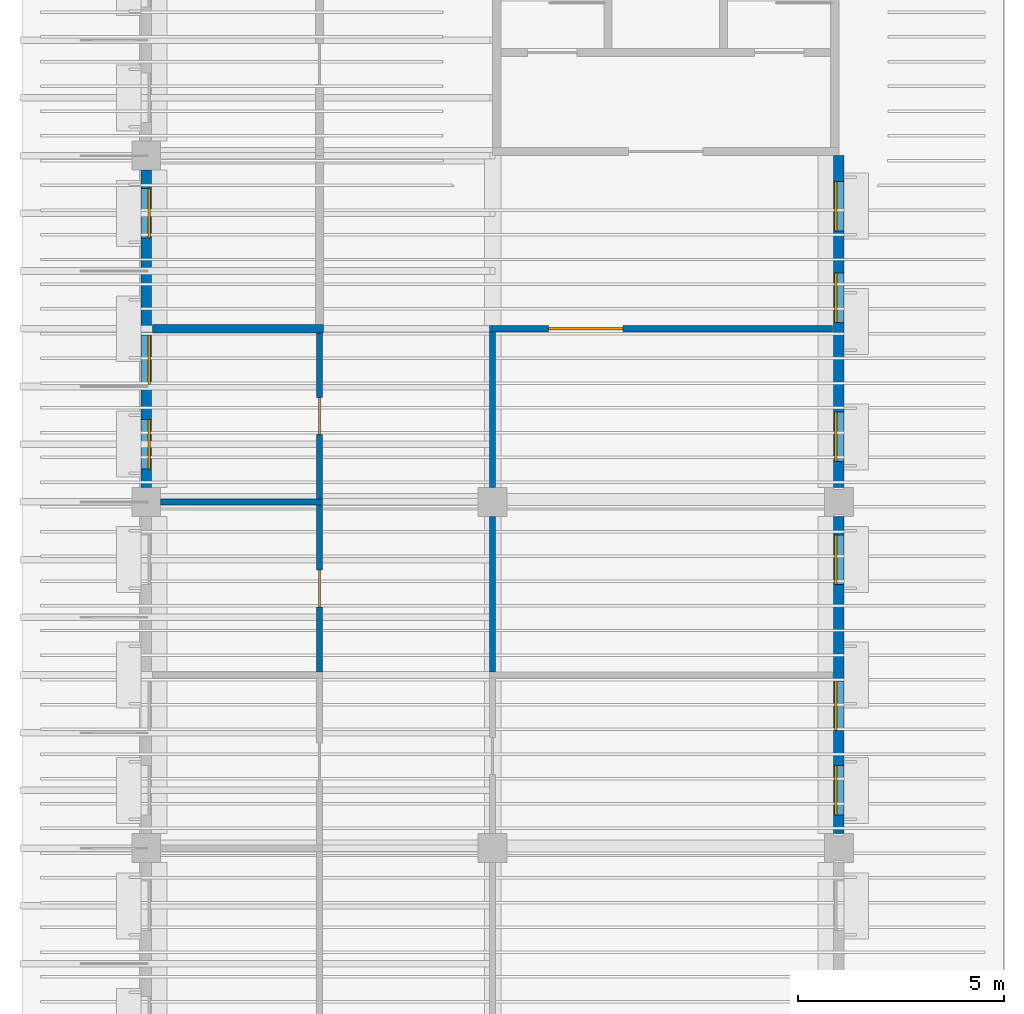
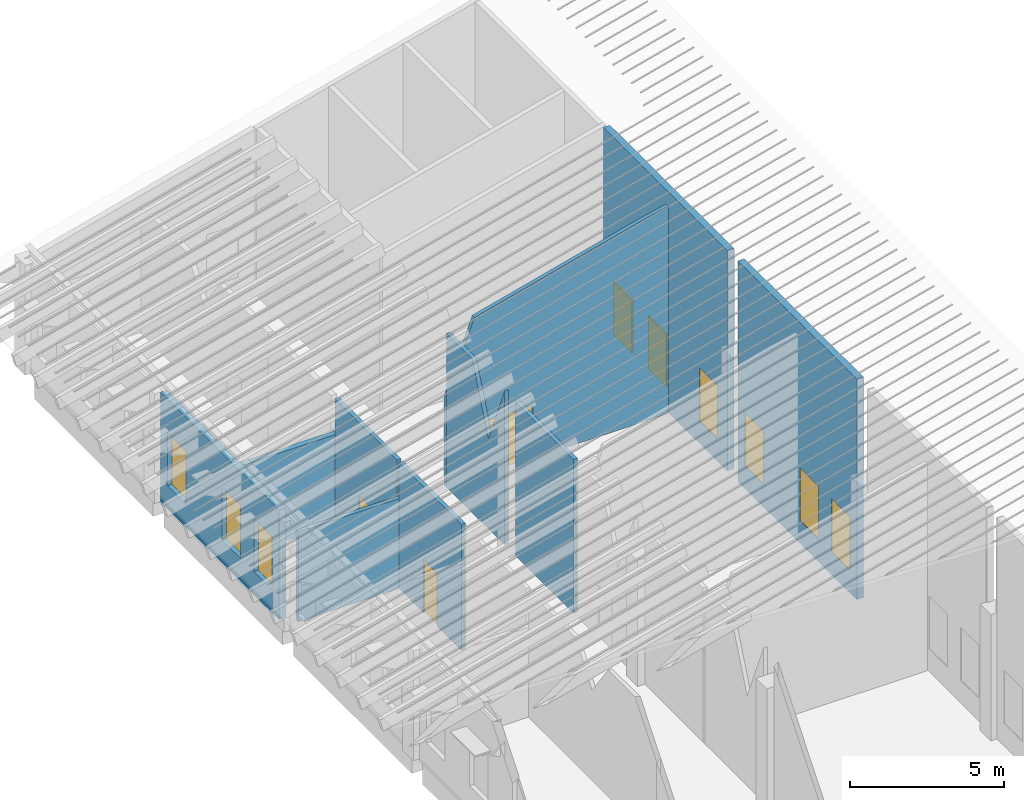
# One storey, part 20 of 82: 10 walls, 9 windows, 3 doors, 12 openings.
"""IFC4 building model written with IfcOpenShell, lengths in metres."""

from ifc_helpers import new_model, si_unit, direction, frame, frame_2d, origin, place, context, subcontext, project, spatial, polyline, rectangle, outline, extrude, material, layer, layer_set, type_object, element, fill, save


model = new_model("IFC4")

# Units and contexts
model_context = context("Model", 3, precision=1e-05, world=origin(), true_north=direction((0.0, 1.0)))
body_context = subcontext(model_context, "Body", "Model", "MODEL_VIEW")
ifc_project = project(units=[si_unit("LENGTHUNIT", "METRE"), si_unit("AREAUNIT", "SQUARE_METRE"), si_unit("VOLUMEUNIT", "CUBIC_METRE"), si_unit("PLANEANGLEUNIT", "RADIAN"), si_unit("MASSUNIT", "GRAM", prefix="KILO")], contexts=[model_context])

# Site, building, storey
site_placement = place(None, origin())
site = spatial("IfcSite", under=ifc_project, at=site_placement, CompositionType="ELEMENT")
building_placement = place(site_placement, origin())
building = spatial("IfcBuilding", under=site, at=building_placement, Name="Almond Square Museum", CompositionType="ELEMENT")
storey_placement = place(building_placement, frame((0.0, 0.0, 20.0)))
storey = spatial("IfcBuildingStorey", under=building, at=storey_placement, Name="L03", CompositionType="ELEMENT", Elevation=20.0)

# Walls
ifc_material_1 = material(Name="Concrete blockwork 200", Category="masonry")
ifc_layer_1 = layer(ifc_material_1, 0.199951171875)
ifc_layer_set_1 = layer_set([ifc_layer_1], Name="Concrete blockwork 200")
wall_type_1 = type_object("IfcWallType", Name="Fire partition 200 blockwork", PredefinedType="PARTITIONING", material=ifc_layer_set_1)
wall_1_placement = place(storey_placement, frame((6.14990234375, 63.0, 0.0), z_axis=(0.0, 0.0, 1.0), x_axis=(1.0, 0.0, 0.0)))
element("IfcWall", 1, at=wall_1_placement, inside=storey, type_object=wall_type_1, Name="L03 partition 19", PredefinedType="PARTITIONING", context=body_context, shape_type="SweptSolid", body=[
    extrude(rectangle(XDim=4.150146484375, YDim=0.199951171875, at=frame_2d((2.0751953125, 0.0))), origin(), (0.0, 0.0, 1.0), 3.56201171875),
])
ifc_material_2 = material(Name="Plasterboard on steel stud", Category="steel")
ifc_layer_2 = layer(ifc_material_2, 0.14990234375)
ifc_layer_set_2 = layer_set([ifc_layer_2], Name="Plasterboard on steel stud")
wall_type_2 = type_object("IfcWallType", Name="Partition 150 plasterboard on steel stud", PredefinedType="PARTITIONING", material=ifc_layer_set_2)
wall_2_placement = place(storey_placement, frame((6.35009765625, 58.800048828125, 0.0), z_axis=(0.0, 0.0, 1.0), x_axis=(1.0, 0.0, 0.0)))
element("IfcWall", 2, at=wall_2_placement, inside=storey, type_object=wall_type_2, Name="L03 partition 22", PredefinedType="PARTITIONING", context=body_context, shape_type="SweptSolid", body=[
    extrude(rectangle(XDim=3.9248046875, YDim=0.14990234375, at=frame_2d((1.96240234375, 0.0))), origin(), (0.0, 0.0, 1.0), 3.56201171875),
])

# Wall, opening, door
wall_3_placement = place(storey_placement, frame((10.199951171875, 58.875, 0.0), z_axis=(0.0, 0.0, 1.0), x_axis=(0.0, 1.0, 0.0)))
wall_3 = element("IfcWall", 3, at=wall_3_placement, inside=storey, type_object=wall_type_2, Name="L03 partition 23", PredefinedType="PARTITIONING", context=body_context, shape_type="SweptSolid", body=[
    extrude(rectangle(XDim=4.02490234375, YDim=0.14990234375, at=frame_2d((2.012451171875, 0.0))), origin(), (0.0, 0.0, 1.0), 5.0),
])
opening_1_placement = place(wall_3_placement, frame((1.5625, 0.0, 0.0)))
opening_1 = element("IfcOpeningElement", 4, at=opening_1_placement, cuts=wall_3, Name="Opening D3106", PredefinedType="OPENING", context=body_context, shape_type="SweptSolid", body=[
    extrude(rectangle(XDim=0.89990234375, YDim=2.10009765625, at=frame_2d((0.449951171875, 1.050048828125))), frame((0.0, 0.0849609375, 0.0), z_axis=(0.0, -1.0, 0.0), x_axis=(1.0, 0.0, 0.0)), (0.0, 0.0, 1.0), 0.169921875),
])
ifc_material_3 = material(Name="Timber", Category="wood")
door_type_1 = type_object("IfcDoorType", Name="Door 900 x 2100 timber single", OperationType="NOTDEFINED", PredefinedType="DOOR", material=ifc_material_3)
door_1_placement = place(opening_1_placement, origin())
door_1 = element("IfcDoor", 5, at=door_1_placement, inside=storey, type_object=door_type_1, Name="L03 door Accessible WC 2 to Wing Corridor", OperationType="SINGLE_SWING_LEFT", OverallHeight=2.10009765625, OverallWidth=0.89990234375, PredefinedType="DOOR", context=body_context, shape_type="SweptSolid", body=[
    extrude(rectangle(XDim=0.89990234375, YDim=2.10009765625, at=frame_2d((0.449951171875, 1.050048828125))), frame((0.0, 0.02490234375, 0.0), z_axis=(0.0, -1.0, 0.0), x_axis=(1.0, 0.0, 0.0)), (0.0, 0.0, 1.0), 0.050048828125),
])
fill(opening_1, door_1)

wall_4_placement = place(storey_placement, frame((10.199951171875, 54.675048828125, 0.0), z_axis=(0.0, 0.0, 1.0), x_axis=(0.0, 1.0, 0.0)))
wall_4 = element("IfcWall", 6, at=wall_4_placement, inside=storey, type_object=wall_type_2, Name="L03 partition 25", PredefinedType="PARTITIONING", context=body_context, shape_type="SweptSolid", body=[
    extrude(rectangle(XDim=4.050048828125, YDim=0.14990234375, at=frame_2d((2.02490234375, 0.0))), origin(), (0.0, 0.0, 1.0), 5.0),
])
opening_2_placement = place(wall_4_placement, frame((1.574951171875, 0.0, 0.0)))
opening_2 = element("IfcOpeningElement", 7, at=opening_2_placement, cuts=wall_4, Name="Opening D3107", PredefinedType="OPENING", context=body_context, shape_type="SweptSolid", body=[
    extrude(rectangle(XDim=0.89990234375, YDim=2.10009765625, at=frame_2d((0.449951171875, 1.050048828125))), frame((0.0, 0.0849609375, 0.0), z_axis=(0.0, -1.0, 0.0), x_axis=(1.0, 0.0, 0.0)), (0.0, 0.0, 1.0), 0.169921875),
])
door_2_placement = place(opening_2_placement, origin())
door_2 = element("IfcDoor", 8, at=door_2_placement, inside=storey, type_object=door_type_1, Name="L03 door Men's WC 2 to Wing Corridor", OperationType="SINGLE_SWING_LEFT", OverallHeight=2.10009765625, OverallWidth=0.89990234375, PredefinedType="DOOR", context=body_context, shape_type="SweptSolid", body=[
    extrude(rectangle(XDim=0.89990234375, YDim=2.10009765625, at=frame_2d((0.449951171875, 1.050048828125))), frame((0.0, 0.02490234375, 0.0), z_axis=(0.0, -1.0, 0.0), x_axis=(1.0, 0.0, 0.0)), (0.0, 0.0, 1.0), 0.050048828125),
])
fill(opening_2, door_2)

wall_5_placement = place(storey_placement, frame((14.324951171875, 63.0, 0.0), z_axis=(0.0, 0.0, 1.0), x_axis=(1.0, 0.0, 0.0)))
wall_5 = element("IfcWall", 9, at=wall_5_placement, inside=storey, type_object=wall_type_2, Name="L03 partition 27", PredefinedType="PARTITIONING", context=body_context, shape_type="SweptSolid", body=[
    extrude(outline(polyline([(0.0, 0.0), (8.324951171875, 0.0), (8.324951171875, 8.220947265625), (7.35009765625, 8.0048828125), (1.050048828125, 6.35498046875), (0.0, 3.56201171875), (0.0, 0.0)])), frame((0.0, 0.074951171875, 0.0), z_axis=(0.0, -1.0, 0.0), x_axis=(1.0, 0.0, 0.0)), (0.0, 0.0, 1.0), 0.14990234375),
])
opening_3_placement = place(wall_5_placement, frame((1.4375, 0.0, 0.0)))
opening_3 = element("IfcOpeningElement", 10, at=opening_3_placement, cuts=wall_5, Name="Opening D3108", PredefinedType="OPENING", context=body_context, shape_type="SweptSolid", body=[
    extrude(rectangle(XDim=1.800048828125, YDim=2.10009765625, at=frame_2d((0.89990234375, 1.050048828125))), frame((0.0, 0.0849609375, 0.0), z_axis=(0.0, -1.0, 0.0), x_axis=(1.0, 0.0, 0.0)), (0.0, 0.0, 1.0), 0.169921875),
])
ifc_material_4 = material(Name="Timber", Category="wood")
door_type_2 = type_object("IfcDoorType", Name="Door 1800 x 2100 timber double", OperationType="NOTDEFINED", PredefinedType="DOOR", material=ifc_material_4)
door_3_placement = place(opening_3_placement, origin())
door_3 = element("IfcDoor", 11, at=door_3_placement, inside=storey, type_object=door_type_2, Name="L03 door Staff Lounge 1 to Wing Corridor", OperationType="DOUBLE_DOOR_SINGLE_SWING", OverallHeight=2.10009765625, OverallWidth=1.800048828125, PredefinedType="DOOR", context=body_context, shape_type="SweptSolid", body=[
    extrude(rectangle(XDim=1.800048828125, YDim=2.10009765625, at=frame_2d((0.89990234375, 1.050048828125))), frame((0.0, 0.02490234375, 0.0), z_axis=(0.0, -1.0, 0.0), x_axis=(1.0, 0.0, 0.0)), (0.0, 0.0, 1.0), 0.050048828125),
])
fill(opening_3, door_3)

# Walls
wall_6_placement = place(storey_placement, frame((14.39990234375, 54.675048828125, 0.0), z_axis=(0.0, 0.0, 1.0), x_axis=(0.0, 1.0, 0.0)))
element("IfcWall", 12, at=wall_6_placement, inside=storey, type_object=wall_type_2, Name="L03 partition 28", PredefinedType="PARTITIONING", context=body_context, shape_type="SweptSolid", body=[
    extrude(rectangle(XDim=3.77490234375, YDim=0.14990234375, at=frame_2d((1.887451171875, 0.0))), origin(), (0.0, 0.0, 1.0), 6.10009765625),
])
wall_7_placement = place(storey_placement, frame((14.39990234375, 59.14990234375, 0.0), z_axis=(0.0, 0.0, 1.0), x_axis=(0.0, 1.0, 0.0)))
element("IfcWall", 13, at=wall_7_placement, inside=storey, type_object=wall_type_2, Name="L03 partition 29", PredefinedType="PARTITIONING", context=body_context, shape_type="SweptSolid", body=[
    extrude(outline(polyline([(0.0, 0.0), (3.775146484375, 0.0), (3.77490234375, 6.10009765625), (2.10009765625, 6.10009765625), (1.050048828125, 3.56201171875), (0.0, 6.10009765625), (0.0, 0.0)])), frame((0.0, 0.074951171875, 0.0), z_axis=(0.0, -1.0, 0.0), x_axis=(1.0, 0.0, 0.0)), (0.0, 0.0, 1.0), 0.14990234375),
])

# Wall, openings, windows
ifc_material_5 = material(Name="Precast concrete C40/50", Category="concrete")
ifc_layer_3 = layer(ifc_material_5, 0.25)
ifc_layer_set_3 = layer_set([ifc_layer_3], Name="Precast concrete C40/50")
wall_type_3 = type_object("IfcWallType", Name="Precast concrete panel wall 250 with coral limestone piers", PredefinedType="SOLIDWALL", material=ifc_layer_set_3)
wall_8_placement = place(storey_placement, frame((22.800048828125, 50.75, 0.0), z_axis=(0.0, 0.0, 1.0), x_axis=(0.0, 1.0, 0.0)))
wall_8 = element("IfcWall", 14, at=wall_8_placement, inside=storey, type_object=wall_type_3, Name="External wall W2 V4W L03 E04", PredefinedType="SOLIDWALL", context=body_context, shape_type="SweptSolid", body=[
    extrude(rectangle(XDim=7.699951171875, YDim=0.25, at=frame_2d((3.85009765625, 0.0))), origin(), (0.0, 0.0, 1.0), 8.74560546875),
])
opening_4_placement = place(wall_8_placement, frame((0.449951171875, 0.0, 0.89990234375)))
opening_4 = element("IfcOpeningElement", 15, at=opening_4_placement, cuts=wall_8, Name="Opening W3026", PredefinedType="OPENING", context=body_context, shape_type="SweptSolid", body=[
    extrude(rectangle(XDim=1.199951171875, YDim=2.10009765625, at=frame_2d((0.60009765625, 1.050048828125))), frame((0.0, 0.135009765625, 0.0), z_axis=(0.0, -1.0, 0.0), x_axis=(1.0, 0.0, 0.0)), (0.0, 0.0, 1.0), 0.27001953125),
])
opening_5_placement = place(wall_8_placement, frame((2.5, 0.0, 0.89990234375)))
opening_5 = element("IfcOpeningElement", 16, at=opening_5_placement, cuts=wall_8, Name="Opening W3027", PredefinedType="OPENING", context=body_context, shape_type="SweptSolid", body=[
    extrude(rectangle(XDim=1.199951171875, YDim=2.10009765625, at=frame_2d((0.60009765625, 1.050048828125))), frame((0.0, 0.135009765625, 0.0), z_axis=(0.0, -1.0, 0.0), x_axis=(1.0, 0.0, 0.0)), (0.0, 0.0, 1.0), 0.27001953125),
])
opening_6_placement = place(wall_8_placement, frame((6.050048828125, 0.0, 0.89990234375)))
opening_6 = element("IfcOpeningElement", 17, at=opening_6_placement, cuts=wall_8, Name="Opening W3028", PredefinedType="OPENING", context=body_context, shape_type="SweptSolid", body=[
    extrude(rectangle(XDim=1.199951171875, YDim=2.10009765625, at=frame_2d((0.60009765625, 1.050048828125))), frame((0.0, 0.135009765625, 0.0), z_axis=(0.0, -1.0, 0.0), x_axis=(1.0, 0.0, 0.0)), (0.0, 0.0, 1.0), 0.27001953125),
])
ifc_material_6 = material(Name="Anodised aluminium louvre and laminated glass", Category="aluminium")
window_type = type_object("IfcWindowType", Name="Louvred pier window", PartitioningType="SINGLE_PANEL", PredefinedType="WINDOW", material=ifc_material_6)
window_1_placement = place(opening_4_placement, origin())
window_1 = element("IfcWindow", 18, at=window_1_placement, inside=storey, type_object=window_type, Name="Louvred pier window W3026", OverallHeight=2.10009765625, OverallWidth=1.199951171875, PartitioningType="SINGLE_PANEL", PredefinedType="WINDOW", context=body_context, shape_type="SweptSolid", body=[
    extrude(rectangle(XDim=1.199951171875, YDim=2.10009765625, at=frame_2d((0.60009765625, 1.050048828125))), frame((0.0, 0.10498046875, 0.0), z_axis=(0.0, -1.0, 0.0), x_axis=(1.0, 0.0, 0.0)), (0.0, 0.0, 1.0), 0.06005859375),
])
fill(opening_4, window_1)
window_2_placement = place(opening_5_placement, origin())
window_2 = element("IfcWindow", 19, at=window_2_placement, inside=storey, type_object=window_type, Name="Louvred pier window W3027", OverallHeight=2.10009765625, OverallWidth=1.199951171875, PartitioningType="SINGLE_PANEL", PredefinedType="WINDOW", context=body_context, shape_type="SweptSolid", body=[
    extrude(rectangle(XDim=1.199951171875, YDim=2.10009765625, at=frame_2d((0.60009765625, 1.050048828125))), frame((0.0, 0.10498046875, 0.0), z_axis=(0.0, -1.0, 0.0), x_axis=(1.0, 0.0, 0.0)), (0.0, 0.0, 1.0), 0.06005859375),
])
fill(opening_5, window_2)
window_3_placement = place(opening_6_placement, origin())
window_3 = element("IfcWindow", 20, at=window_3_placement, inside=storey, type_object=window_type, Name="Louvred pier window W3028", OverallHeight=2.10009765625, OverallWidth=1.199951171875, PartitioningType="SINGLE_PANEL", PredefinedType="WINDOW", context=body_context, shape_type="SweptSolid", body=[
    extrude(rectangle(XDim=1.199951171875, YDim=2.10009765625, at=frame_2d((0.60009765625, 1.050048828125))), frame((0.0, 0.10498046875, 0.0), z_axis=(0.0, -1.0, 0.0), x_axis=(1.0, 0.0, 0.0)), (0.0, 0.0, 1.0), 0.06005859375),
])
fill(opening_6, window_3)

wall_9_placement = place(storey_placement, frame((22.800048828125, 59.14990234375, 0.0), z_axis=(0.0, 0.0, 1.0), x_axis=(0.0, 1.0, 0.0)))
wall_9 = element("IfcWall", 21, at=wall_9_placement, inside=storey, type_object=wall_type_3, Name="External wall W2 V4W L03 E05", PredefinedType="SOLIDWALL", context=body_context, shape_type="SweptSolid", body=[
    extrude(rectangle(XDim=8.050048828125, YDim=0.25, at=frame_2d((4.02490234375, 0.0))), origin(), (0.0, 0.0, 1.0), 8.74560546875),
])
opening_7_placement = place(wall_9_placement, frame((0.625, 0.0, 0.89990234375)))
opening_7 = element("IfcOpeningElement", 22, at=opening_7_placement, cuts=wall_9, Name="Opening W3029", PredefinedType="OPENING", context=body_context, shape_type="SweptSolid", body=[
    extrude(rectangle(XDim=1.199951171875, YDim=2.10009765625, at=frame_2d((0.60009765625, 1.050048828125))), frame((0.0, 0.135009765625, 0.0), z_axis=(0.0, -1.0, 0.0), x_axis=(1.0, 0.0, 0.0)), (0.0, 0.0, 1.0), 0.27001953125),
])
opening_8_placement = place(wall_9_placement, frame((4.0, 0.0, 0.89990234375)))
opening_8 = element("IfcOpeningElement", 23, at=opening_8_placement, cuts=wall_9, Name="Opening W3030", PredefinedType="OPENING", context=body_context, shape_type="SweptSolid", body=[
    extrude(rectangle(XDim=1.199951171875, YDim=2.10009765625, at=frame_2d((0.60009765625, 1.050048828125))), frame((0.0, 0.135009765625, 0.0), z_axis=(0.0, -1.0, 0.0), x_axis=(1.0, 0.0, 0.0)), (0.0, 0.0, 1.0), 0.27001953125),
])
opening_9_placement = place(wall_9_placement, frame((6.22509765625, 0.0, 0.89990234375)))
opening_9 = element("IfcOpeningElement", 24, at=opening_9_placement, cuts=wall_9, Name="Opening W3031", PredefinedType="OPENING", context=body_context, shape_type="SweptSolid", body=[
    extrude(rectangle(XDim=1.199951171875, YDim=2.10009765625, at=frame_2d((0.60009765625, 1.050048828125))), frame((0.0, 0.135009765625, 0.0), z_axis=(0.0, -1.0, 0.0), x_axis=(1.0, 0.0, 0.0)), (0.0, 0.0, 1.0), 0.27001953125),
])
window_4_placement = place(opening_7_placement, origin())
window_4 = element("IfcWindow", 25, at=window_4_placement, inside=storey, type_object=window_type, Name="Louvred pier window W3029", OverallHeight=2.10009765625, OverallWidth=1.199951171875, PartitioningType="SINGLE_PANEL", PredefinedType="WINDOW", context=body_context, shape_type="SweptSolid", body=[
    extrude(rectangle(XDim=1.199951171875, YDim=2.10009765625, at=frame_2d((0.60009765625, 1.050048828125))), frame((0.0, 0.10498046875, 0.0), z_axis=(0.0, -1.0, 0.0), x_axis=(1.0, 0.0, 0.0)), (0.0, 0.0, 1.0), 0.06005859375),
])
fill(opening_7, window_4)
window_5_placement = place(opening_8_placement, origin())
window_5 = element("IfcWindow", 26, at=window_5_placement, inside=storey, type_object=window_type, Name="Louvred pier window W3030", OverallHeight=2.10009765625, OverallWidth=1.199951171875, PartitioningType="SINGLE_PANEL", PredefinedType="WINDOW", context=body_context, shape_type="SweptSolid", body=[
    extrude(rectangle(XDim=1.199951171875, YDim=2.10009765625, at=frame_2d((0.60009765625, 1.050048828125))), frame((0.0, 0.10498046875, 0.0), z_axis=(0.0, -1.0, 0.0), x_axis=(1.0, 0.0, 0.0)), (0.0, 0.0, 1.0), 0.06005859375),
])
fill(opening_8, window_5)
window_6_placement = place(opening_9_placement, origin())
window_6 = element("IfcWindow", 27, at=window_6_placement, inside=storey, type_object=window_type, Name="Louvred pier window W3031", OverallHeight=2.10009765625, OverallWidth=1.199951171875, PartitioningType="SINGLE_PANEL", PredefinedType="WINDOW", context=body_context, shape_type="SweptSolid", body=[
    extrude(rectangle(XDim=1.199951171875, YDim=2.10009765625, at=frame_2d((0.60009765625, 1.050048828125))), frame((0.0, 0.10498046875, 0.0), z_axis=(0.0, -1.0, 0.0), x_axis=(1.0, 0.0, 0.0)), (0.0, 0.0, 1.0), 0.06005859375),
])
fill(opening_9, window_6)

wall_10_placement = place(storey_placement, frame((6.0, 59.14990234375, 0.0), z_axis=(0.0, 0.0, 1.0), x_axis=(0.0, 1.0, 0.0)))
wall_10 = element("IfcWall", 28, at=wall_10_placement, inside=storey, type_object=wall_type_3, Name="External wall W2 V4W L03 W02", PredefinedType="SOLIDWALL", context=body_context, shape_type="SweptSolid", body=[
    extrude(rectangle(XDim=7.7001953125, YDim=0.25, at=frame_2d((3.85009765625, 0.0))), origin(), (0.0, 0.0, 1.0), 4.345703125),
])
opening_10_placement = place(wall_10_placement, frame((0.449951171875, 0.0, 0.89990234375)))
opening_10 = element("IfcOpeningElement", 29, at=opening_10_placement, cuts=wall_10, Name="Opening W3038", PredefinedType="OPENING", context=body_context, shape_type="SweptSolid", body=[
    extrude(rectangle(XDim=1.199951171875, YDim=2.10009765625, at=frame_2d((0.60009765625, 1.050048828125))), frame((0.0, 0.135009765625, 0.0), z_axis=(0.0, -1.0, 0.0), x_axis=(1.0, 0.0, 0.0)), (0.0, 0.0, 1.0), 0.27001953125),
])
opening_11_placement = place(wall_10_placement, frame((2.5, 0.0, 0.89990234375)))
opening_11 = element("IfcOpeningElement", 30, at=opening_11_placement, cuts=wall_10, Name="Opening W3039", PredefinedType="OPENING", context=body_context, shape_type="SweptSolid", body=[
    extrude(rectangle(XDim=1.199951171875, YDim=2.10009765625, at=frame_2d((0.60009765625, 1.050048828125))), frame((0.0, 0.135009765625, 0.0), z_axis=(0.0, -1.0, 0.0), x_axis=(1.0, 0.0, 0.0)), (0.0, 0.0, 1.0), 0.27001953125),
])
opening_12_placement = place(wall_10_placement, frame((6.050048828125, 0.0, 0.89990234375)))
opening_12 = element("IfcOpeningElement", 31, at=opening_12_placement, cuts=wall_10, Name="Opening W3040", PredefinedType="OPENING", context=body_context, shape_type="SweptSolid", body=[
    extrude(rectangle(XDim=1.199951171875, YDim=2.10009765625, at=frame_2d((0.60009765625, 1.050048828125))), frame((0.0, 0.135009765625, 0.0), z_axis=(0.0, -1.0, 0.0), x_axis=(1.0, 0.0, 0.0)), (0.0, 0.0, 1.0), 0.27001953125),
])
window_7_placement = place(opening_10_placement, origin())
window_7 = element("IfcWindow", 32, at=window_7_placement, inside=storey, type_object=window_type, Name="Louvred pier window W3038", OverallHeight=2.10009765625, OverallWidth=1.199951171875, PartitioningType="SINGLE_PANEL", PredefinedType="WINDOW", context=body_context, shape_type="SweptSolid", body=[
    extrude(rectangle(XDim=1.199951171875, YDim=2.10009765625, at=frame_2d((0.60009765625, 1.050048828125))), frame((0.0, -0.044921875, 0.0), z_axis=(0.0, -1.0, 0.0), x_axis=(1.0, 0.0, 0.0)), (0.0, 0.0, 1.0), 0.06005859375),
])
fill(opening_10, window_7)
window_8_placement = place(opening_11_placement, origin())
window_8 = element("IfcWindow", 33, at=window_8_placement, inside=storey, type_object=window_type, Name="Louvred pier window W3039", OverallHeight=2.10009765625, OverallWidth=1.199951171875, PartitioningType="SINGLE_PANEL", PredefinedType="WINDOW", context=body_context, shape_type="SweptSolid", body=[
    extrude(rectangle(XDim=1.199951171875, YDim=2.10009765625, at=frame_2d((0.60009765625, 1.050048828125))), frame((0.0, -0.044921875, 0.0), z_axis=(0.0, -1.0, 0.0), x_axis=(1.0, 0.0, 0.0)), (0.0, 0.0, 1.0), 0.06005859375),
])
fill(opening_11, window_8)
window_9_placement = place(opening_12_placement, origin())
window_9 = element("IfcWindow", 34, at=window_9_placement, inside=storey, type_object=window_type, Name="Louvred pier window W3040", OverallHeight=2.10009765625, OverallWidth=1.199951171875, PartitioningType="SINGLE_PANEL", PredefinedType="WINDOW", context=body_context, shape_type="SweptSolid", body=[
    extrude(rectangle(XDim=1.199951171875, YDim=2.10009765625, at=frame_2d((0.60009765625, 1.050048828125))), frame((0.0, -0.044921875, 0.0), z_axis=(0.0, -1.0, 0.0), x_axis=(1.0, 0.0, 0.0)), (0.0, 0.0, 1.0), 0.06005859375),
])
fill(opening_12, window_9)

save(model, "model.ifc")
